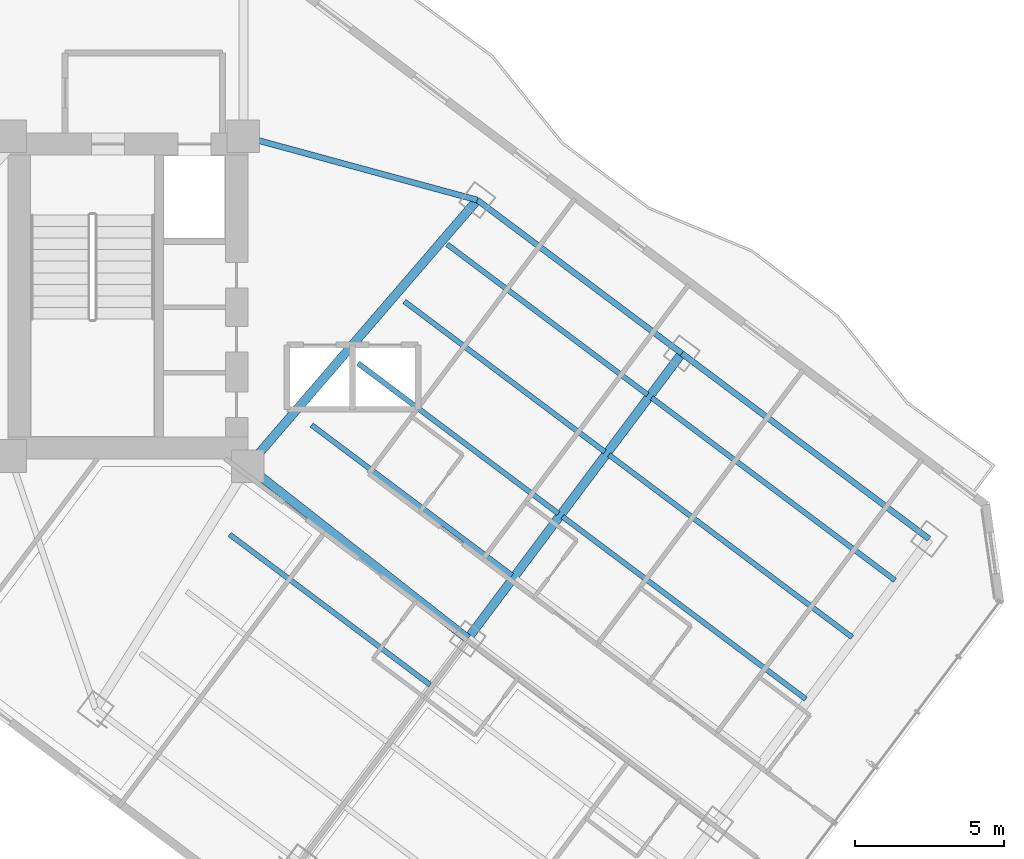
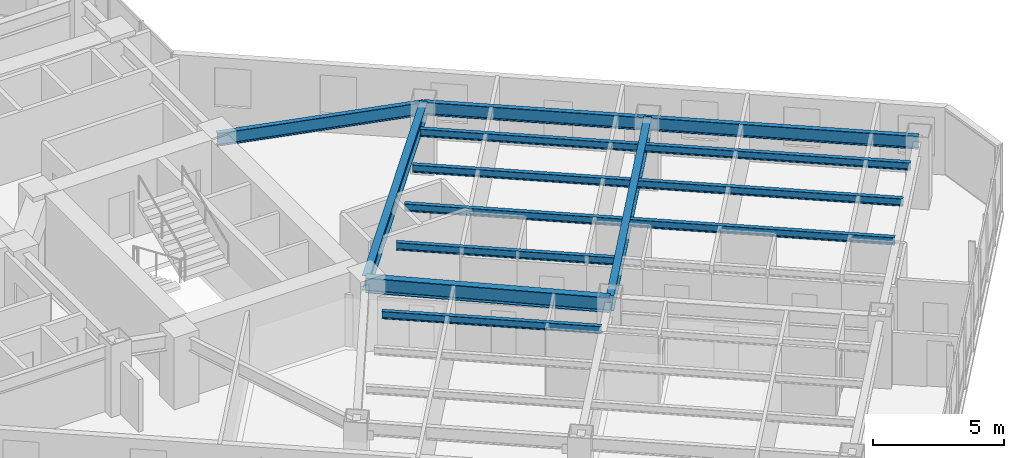
# One storey, part 11 of 31: 14 beams.
"""IFC4 building model written with IfcOpenShell, lengths in metres."""

from ifc_helpers import new_model, si_unit, direction, frame, origin, origin_2d, place, context, subcontext, project, spatial, i_section, extrude, material, material_profile, profile_set, type_object, element, save


model = new_model("IFC4")

# Units and contexts
model_context = context("Model", 3, precision=1e-05, world=origin(), true_north=direction((0.0, 1.0)))
body_context = subcontext(model_context, "Body", "Model", "MODEL_VIEW")
ifc_project = project(units=[si_unit("LENGTHUNIT", "METRE"), si_unit("AREAUNIT", "SQUARE_METRE"), si_unit("VOLUMEUNIT", "CUBIC_METRE"), si_unit("PLANEANGLEUNIT", "RADIAN"), si_unit("MASSUNIT", "GRAM", prefix="KILO")], contexts=[model_context])

# Site, building, storey
site_placement = place(None, origin())
site = spatial("IfcSite", under=ifc_project, at=site_placement, CompositionType="ELEMENT")
building_placement = place(site_placement, origin())
building = spatial("IfcBuilding", under=site, at=building_placement, Name="Hatsunagi Terrace Concourse", CompositionType="ELEMENT")
storey_placement = place(building_placement, frame((0.0, 0.0, 81.300048828125)))
storey = spatial("IfcBuildingStorey", under=building, at=storey_placement, Name="L21", CompositionType="ELEMENT", Elevation=81.300048828125)

# Beams
ifc_material_1 = material(Name="Steel SN490B", Category="steel")
ifc_material_profile_1 = material_profile(ifc_material_1, i_section(OverallWidth=0.300048828125, OverallDepth=0.699951171875, WebThickness=0.012939453125, FlangeThickness=0.02392578125, FilletRadius=0.02197265625, at=origin_2d()), Name="H-700x300x13x24")
ifc_profile_set_1 = profile_set([ifc_material_profile_1], Name="Steel SN490B")
beam_type_1 = type_object("IfcBeamType", Name="HotelFloorGirder_H_700x300", PredefinedType="BEAM", material=ifc_profile_set_1)
beam_1_placement = place(storey_placement, frame((43.800048828125, 24.199951171875, 2.780029296875), z_axis=(0.652739101421, 0.757582777969, 0.0), x_axis=(-0.757582777969, 0.652739101421, 0.0)))
element("IfcBeam", 1, at=beam_1_placement, inside=storey, type_object=beam_type_1, Name="Beam G-04 BM-L21-SET-1B", PredefinedType="BEAM", context=body_context, shape_type="SweptSolid", body=[
    extrude(i_section(OverallWidth=0.300048828125, OverallDepth=0.699951171875, WebThickness=0.012939453125, FlangeThickness=0.02392578125, FilletRadius=0.02197265625, at=origin_2d()), origin(), (0.0, 0.0, 1.0), 11.8271484375),
])
beam_2_placement = place(storey_placement, frame((43.800048828125, 24.199951171875, 2.780029296875), z_axis=(0.787049441068, -0.616889923175, 0.0), x_axis=(0.616889923175, 0.787049441068, 0.0)))
element("IfcBeam", 2, at=beam_2_placement, inside=storey, type_object=beam_type_1, Name="Beam G-04 BM-L21-SE-M2", PredefinedType="BEAM", context=body_context, shape_type="SweptSolid", body=[
    extrude(i_section(OverallWidth=0.300048828125, OverallDepth=0.699951171875, WebThickness=0.012939453125, FlangeThickness=0.02392578125, FilletRadius=0.02197265625, at=origin_2d()), origin(), (0.0, 0.0, 1.0), 9.402099609375),
])
beam_3_placement = place(storey_placement, frame((51.199951171875, 18.39990234375, 2.780029296875), z_axis=(0.59999348959, 0.800004882766, 0.0), x_axis=(-0.800004882766, 0.59999348959, 0.0)))
element("IfcBeam", 3, at=beam_3_placement, inside=storey, type_object=beam_type_1, Name="Beam G-04 BM-L21-SET-2B", PredefinedType="BEAM", context=body_context, shape_type="SweptSolid", body=[
    extrude(i_section(OverallWidth=0.300048828125, OverallDepth=0.699951171875, WebThickness=0.012939453125, FlangeThickness=0.02392578125, FilletRadius=0.02197265625, at=origin_2d()), origin(), (0.0, 0.0, 1.0), 12.0),
])
ifc_material_2 = material(Name="Steel SN490B", Category="steel")
ifc_material_profile_2 = material_profile(ifc_material_2, i_section(OverallWidth=0.175048828125, OverallDepth=0.35009765625, WebThickness=0.007080078125, FlangeThickness=0.010986328125, FilletRadius=0.012939453125, at=origin_2d()), Name="H-350x175x7x11")
ifc_profile_set_2 = profile_set([ifc_material_profile_2], Name="Steel SN490B")
beam_type_2 = type_object("IfcBeamType", Name="HotelJoist_H_350x175", PredefinedType="JOIST", material=ifc_profile_set_2)
for number, where, z_axis, x_axis, name in (
    (4, (43.18798828125, 21.908935546875, 2.954833984375), (0.800003475366, -0.59999536615, 0.0), (0.59999536615, 0.800003475366, 0.0), "Beam J-02 J-L21-SE-2-96"),
    (5, (45.947998046875, 25.589111328125, 2.954833984375), (0.799989573921, -0.600013901187, 0.0), (0.600013901187, 0.799989573921, 0.0), "Beam J-02 J-L21-SE-2-142"),
    (6, (47.508056640625, 27.6689453125, 2.954833984375), (0.800003475366, -0.59999536615, 0.0), (0.59999536615, 0.800003475366, 0.0), "Beam J-02 J-L21-SE-2-168"),
    (7, (49.068115234375, 29.7490234375, 2.954833984375), (0.799989573921, -0.600013901187, 0.0), (0.600013901187, 0.799989573921, 0.0), "Beam J-02 J-L21-SE-2-194"),
    (8, (50.508056640625, 31.6689453125, 2.954833984375), (0.800003475366, -0.59999536615, 0.0), (0.59999536615, 0.800003475366, 0.0), "Beam J-02 J-L21-SE-2-218"),
):
    element("IfcBeam", number, at=place(storey_placement, frame(where, z_axis=z_axis, x_axis=x_axis)), inside=storey, type_object=beam_type_2, Name=name, PredefinedType="JOIST", context=body_context, shape_type="SweptSolid", body=[
        extrude(i_section(OverallWidth=0.175048828125, OverallDepth=0.35009765625, WebThickness=0.007080078125, FlangeThickness=0.010986328125, FilletRadius=0.012939453125, at=origin_2d()), origin(), (0.0, 0.0, 1.0), 8.429931640625),
    ])
beam_4_placement = place(storey_placement, frame((54.387939453125, 22.509033203125, 2.954833984375), z_axis=(0.800005727586, -0.599992363142, 0.0), x_axis=(0.599992363142, 0.800005727586, 0.0)))
element("IfcBeam", 9, at=beam_4_placement, inside=storey, type_object=beam_type_2, Name="Beam J-02 J-L21-SE-3-168", PredefinedType="JOIST", context=body_context, shape_type="SweptSolid", body=[
    extrude(i_section(OverallWidth=0.175048828125, OverallDepth=0.35009765625, WebThickness=0.007080078125, FlangeThickness=0.010986328125, FilletRadius=0.012939453125, at=origin_2d()), origin(), (0.0, 0.0, 1.0), 10.22998046875),
])
beam_5_placement = place(storey_placement, frame((55.947998046875, 24.589111328125, 2.954833984375), z_axis=(0.799994272423, -0.600007636694, 0.0), x_axis=(0.600007636694, 0.799994272423, 0.0)))
element("IfcBeam", 10, at=beam_5_placement, inside=storey, type_object=beam_type_2, Name="Beam J-02 J-L21-SE-3-194", PredefinedType="JOIST", context=body_context, shape_type="SweptSolid", body=[
    extrude(i_section(OverallWidth=0.175048828125, OverallDepth=0.35009765625, WebThickness=0.007080078125, FlangeThickness=0.010986328125, FilletRadius=0.012939453125, at=origin_2d()), origin(), (0.0, 0.0, 1.0), 10.230224609375),
])
beam_6_placement = place(storey_placement, frame((57.387939453125, 26.509033203125, 2.954833984375), z_axis=(0.800005727586, -0.599992363142, 0.0), x_axis=(0.599992363142, 0.800005727586, 0.0)))
element("IfcBeam", 11, at=beam_6_placement, inside=storey, type_object=beam_type_2, Name="Beam J-02 J-L21-SE-3-218", PredefinedType="JOIST", context=body_context, shape_type="SweptSolid", body=[
    extrude(i_section(OverallWidth=0.175048828125, OverallDepth=0.35009765625, WebThickness=0.007080078125, FlangeThickness=0.010986328125, FilletRadius=0.012939453125, at=origin_2d()), origin(), (0.0, 0.0, 1.0), 10.22998046875),
])
ifc_material_3 = material(Name="Steel SN490B", Category="steel")
ifc_material_profile_3 = material_profile(ifc_material_3, i_section(OverallWidth=0.199951171875, OverallDepth=0.60009765625, WebThickness=0.010986328125, FlangeThickness=0.01708984375, FilletRadius=0.01806640625, at=origin_2d()), Name="H-600x200x11x17")
ifc_profile_set_3 = profile_set([ifc_material_profile_3], Name="Steel SN490B")
beam_type_3 = type_object("IfcBeamType", Name="PerimeterSpandrel_H_600x200", PredefinedType="SPANDREL", material=ifc_profile_set_3)
beam_7_placement = place(storey_placement, frame((43.64990234375, 35.300048828125, 2.829833984375), z_axis=(0.964958359286, -0.262403057994, 0.0), x_axis=(0.262403057994, 0.964958359286, 0.0)))
element("IfcBeam", 12, at=beam_7_placement, inside=storey, type_object=beam_type_3, Name="Beam SP-01 BM-L21-SE-NE0", PredefinedType="SPANDREL", context=body_context, shape_type="SweptSolid", body=[
    extrude(i_section(OverallWidth=0.199951171875, OverallDepth=0.60009765625, WebThickness=0.010986328125, FlangeThickness=0.01708984375, FilletRadius=0.01806640625, at=origin_2d()), origin(), (0.0, 0.0, 1.0), 8.156005859375),
])
beam_8_placement = place(storey_placement, frame((51.52001953125, 33.159912109375, 2.829833984375), z_axis=(0.8, -0.6, 0.0), x_axis=(0.6, 0.8, 0.0)))
element("IfcBeam", 13, at=beam_8_placement, inside=storey, type_object=beam_type_3, Name="Beam SP-01 BM-L21-SE-NE2", PredefinedType="SPANDREL", context=body_context, shape_type="SweptSolid", body=[
    extrude(i_section(OverallWidth=0.199951171875, OverallDepth=0.60009765625, WebThickness=0.010986328125, FlangeThickness=0.01708984375, FilletRadius=0.01806640625, at=origin_2d()), origin(), (0.0, 0.0, 1.0), 8.599853515625),
])
beam_9_placement = place(storey_placement, frame((58.39990234375, 28.0, 2.829833984375), z_axis=(0.800002816985, -0.599996244001, 0.0), x_axis=(0.599996244001, 0.800002816985, 0.0)))
element("IfcBeam", 14, at=beam_9_placement, inside=storey, type_object=beam_type_3, Name="Beam SP-01 BM-L21-SE-NE3", PredefinedType="SPANDREL", context=body_context, shape_type="SweptSolid", body=[
    extrude(i_section(OverallWidth=0.199951171875, OverallDepth=0.60009765625, WebThickness=0.010986328125, FlangeThickness=0.01708984375, FilletRadius=0.01806640625, at=origin_2d()), origin(), (0.0, 0.0, 1.0), 10.400146484375),
])

save(model, "model.ifc")
